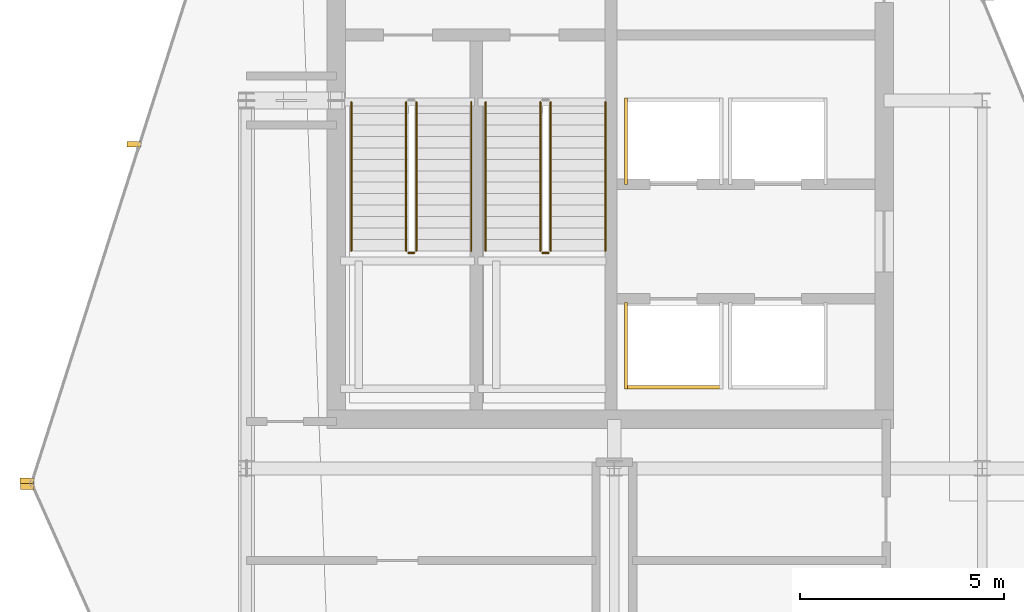
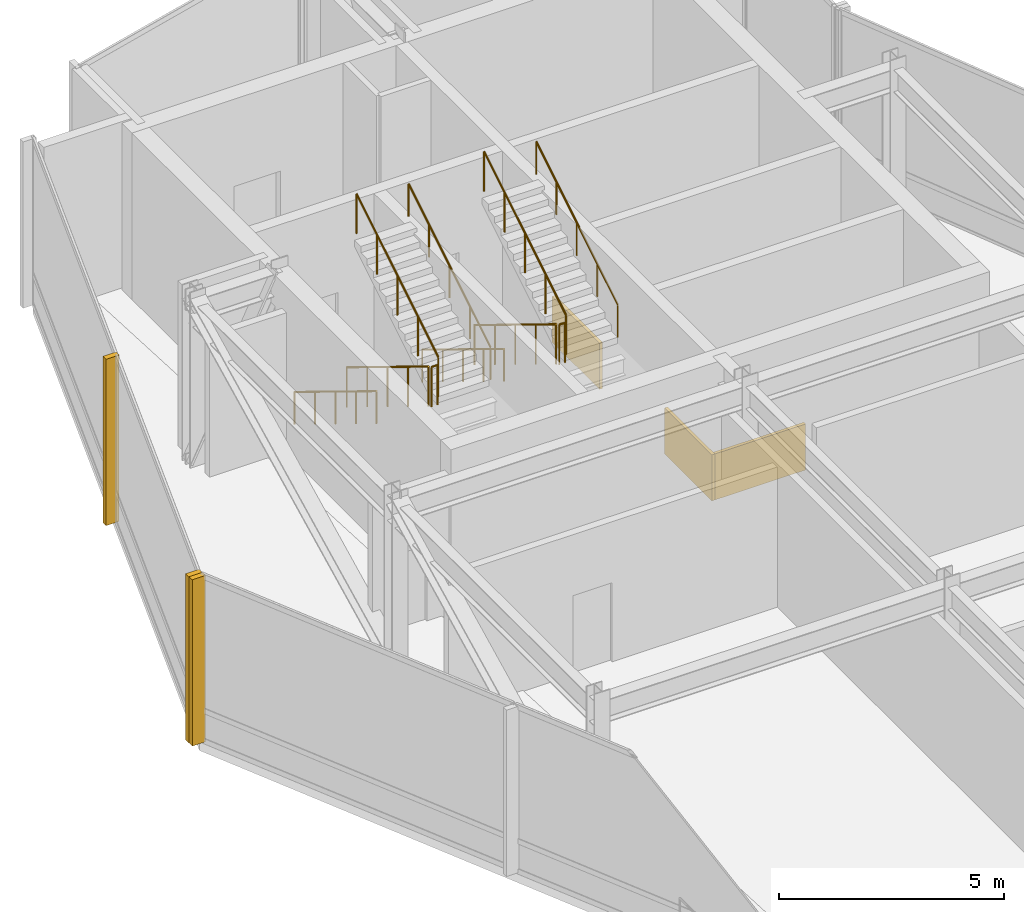
# One storey, part 21 of 23: 10 railings, 3 coverings, 3 shading devices.
"""IFC4 building model written with IfcOpenShell, lengths in metres."""

from ifc_helpers import new_model, si_unit, direction, frame, origin, origin_2d, place, context, subcontext, project, spatial, rectangle, circle, extrude, material, layer, layer_set, type_object, element, save


model = new_model("IFC4")

# Units and contexts
model_context = context("Model", 3, precision=1e-05, world=origin(), true_north=direction((0.0, 1.0)))
body_context = subcontext(model_context, "Body", "Model", "MODEL_VIEW")
ifc_project = project(units=[si_unit("LENGTHUNIT", "METRE"), si_unit("AREAUNIT", "SQUARE_METRE"), si_unit("VOLUMEUNIT", "CUBIC_METRE"), si_unit("PLANEANGLEUNIT", "RADIAN"), si_unit("MASSUNIT", "GRAM", prefix="KILO")], contexts=[model_context])

# Site, building, storey
site_placement = place(None, origin())
site = spatial("IfcSite", under=ifc_project, at=site_placement, CompositionType="ELEMENT")
building_placement = place(site_placement, origin())
building = spatial("IfcBuilding", under=site, at=building_placement, Name="Solvaryn Broadcast Tower", CompositionType="ELEMENT")
storey_placement = place(building_placement, frame((0.0, 0.0, 285.199951171875)))
storey = spatial("IfcBuildingStorey", under=building, at=storey_placement, Name="L72", CompositionType="ELEMENT", Elevation=285.199951171875)

# Coverings
ifc_material_1 = material(Name="Fire-Rated Gypsum Shaftwall Liner", Category="concrete")
ifc_layer = layer(ifc_material_1, 0.080078125)
ifc_layer_set = layer_set([ifc_layer], Name="CV-SHAFT-LINER")
covering_type = type_object("IfcCoveringType", Name="CV-SHAFT-LINER", PredefinedType="CLADDING", material=ifc_layer_set)
covering_placement = place(storey_placement, frame((19.449951171875, 28.985107421875, 0.0), z_axis=(0.0, 0.0, 1.0), x_axis=(1.0, 0.0, 0.0)))
element("IfcCovering", 1, at=covering_placement, inside=storey, type_object=covering_type, Name="L72 PH1 Hoistway Shaft Liner South", PredefinedType="CLADDING", context=body_context, shape_type="SweptSolid", body=[
    extrude(rectangle(XDim=2.409912109375, YDim=0.080078125, at=origin_2d()), origin(), (0.0, 0.0, 1.0), 1.25),
])
for number, where, z_axis, x_axis, name in (
    (2, (18.284912109375, 30.0, 0.0), (0.0, 0.0, 1.0), (1.0, 0.0, 0.0), "L72 PH1 Hoistway Shaft Liner West"),
    (3, (18.284912109375, 35.0, 0.0), (0.0, 0.0, 1.0), (1.0, 0.0, 0.0), "L72 PH3 Hoistway Shaft Liner West"),
):
    element("IfcCovering", number, at=place(storey_placement, frame(where, z_axis=z_axis, x_axis=x_axis)), inside=storey, type_object=covering_type, Name=name, PredefinedType="CLADDING", context=body_context, shape_type="SweptSolid", body=[
        extrude(rectangle(XDim=0.080078125, YDim=2.110107421875, at=origin_2d()), origin(), (0.0, 0.0, 1.0), 1.25),
    ])

# Railings
ifc_material_2 = material(Name="Painted Steel Stair Well Guard", Category="steel")
railing_type_1 = type_object("IfcRailingType", Name="RL-STAIR-GUARD", PredefinedType="BALUSTRADE", material=ifc_material_2)
railing_1_placement = place(storey_placement, frame((12.909912109375, 35.9599609375, 0.17138671875)))
element("IfcRailing", 4, at=railing_1_placement, inside=storey, type_object=railing_type_1, Name="L72 ST1 stair guard 1", PredefinedType="BALUSTRADE", context=body_context, shape_type="SweptSolid", body=[
    extrude(circle(Radius=0.02392578125, at=origin_2d()), frame((0.0, 0.0, 1.076171875), z_axis=(0.0, -0.852824790078, 0.522197163366), x_axis=(1.0, 0.0, 0.0)), (0.0, 0.0, 1.0), 4.26806640625),
    extrude(circle(Radius=0.02099609375, at=origin_2d()), origin(), (0.0, 0.0, 1.0), 1.052001953125),
    extrude(circle(Radius=0.02099609375, at=origin_2d()), frame((0.0, -0.909912109375, 0.55712890625)), (0.0, 0.0, 1.0), 1.052001953125),
    extrude(circle(Radius=0.02099609375, at=origin_2d()), frame((0.0, -1.81982421875, 1.1142578125)), (0.0, 0.0, 1.0), 1.052001953125),
    extrude(circle(Radius=0.02099609375, at=origin_2d()), frame((0.0, -2.72998046875, 1.671630859375)), (0.0, 0.0, 1.0), 1.052001953125),
    extrude(circle(Radius=0.02099609375, at=origin_2d()), frame((0.0, -3.639892578125, 2.228759765625)), (0.0, 0.0, 1.0), 1.052001953125),
])
railing_2_placement = place(storey_placement, frame((12.9599609375, 32.27001953125, 2.400146484375)))
element("IfcRailing", 5, at=railing_2_placement, inside=storey, type_object=railing_type_1, Name="L72 ST1 stair guard 2", PredefinedType="BALUSTRADE", context=body_context, shape_type="SweptSolid", body=[
    extrude(circle(Radius=0.02392578125, at=origin_2d()), frame((0.0, 0.0, 1.076171875), z_axis=(1.0, 0.0, 0.0), x_axis=(0.0, 1.0, 0.0)), (0.0, 0.0, 1.0), 0.150146484375),
    extrude(circle(Radius=0.02099609375, at=origin_2d()), origin(), (0.0, 0.0, 1.0), 1.052001953125),
    extrude(circle(Radius=0.02099609375, at=origin_2d()), frame((0.150146484375, 0.0, 0.0)), (0.0, 0.0, 1.0), 1.052001953125),
])
railing_3_placement = place(storey_placement, frame((13.159912109375, 32.320068359375, 2.571533203125)))
element("IfcRailing", 6, at=railing_3_placement, inside=storey, type_object=railing_type_1, Name="L72 ST1 stair guard 3", PredefinedType="BALUSTRADE", context=body_context, shape_type="SweptSolid", body=[
    extrude(circle(Radius=0.02392578125, at=origin_2d()), frame((0.0, 0.0, 1.076171875), z_axis=(0.0, 0.852850264322, 0.5221555579), x_axis=(-1.0, 0.0, 0.0)), (0.0, 0.0, 1.0), 4.267822265625),
    extrude(circle(Radius=0.02099609375, at=origin_2d()), origin(), (0.0, 0.0, 1.0), 1.052001953125),
    extrude(circle(Radius=0.02099609375, at=origin_2d()), frame((0.0, 0.909912109375, 0.55712890625)), (0.0, 0.0, 1.0), 1.052001953125),
    extrude(circle(Radius=0.02099609375, at=origin_2d()), frame((0.0, 1.81982421875, 1.1142578125)), (0.0, 0.0, 1.0), 1.052001953125),
    extrude(circle(Radius=0.02099609375, at=origin_2d()), frame((0.0, 2.72998046875, 1.67138671875)), (0.0, 0.0, 1.0), 1.052001953125),
    extrude(circle(Radius=0.02099609375, at=origin_2d()), frame((0.0, 3.639892578125, 2.228515625)), (0.0, 0.0, 1.0), 1.052001953125),
])
railing_4_placement = place(storey_placement, frame((16.18994140625, 35.9599609375, 0.17138671875)))
element("IfcRailing", 7, at=railing_4_placement, inside=storey, type_object=railing_type_1, Name="L72 ST2 stair guard 1", PredefinedType="BALUSTRADE", context=body_context, shape_type="SweptSolid", body=[
    extrude(circle(Radius=0.02392578125, at=origin_2d()), frame((0.0, 0.0, 1.076171875), z_axis=(0.0, -0.852824790078, 0.522197163366), x_axis=(1.0, 0.0, 0.0)), (0.0, 0.0, 1.0), 4.26806640625),
    extrude(circle(Radius=0.02099609375, at=origin_2d()), origin(), (0.0, 0.0, 1.0), 1.052001953125),
    extrude(circle(Radius=0.02099609375, at=origin_2d()), frame((0.0, -0.909912109375, 0.55712890625)), (0.0, 0.0, 1.0), 1.052001953125),
    extrude(circle(Radius=0.02099609375, at=origin_2d()), frame((0.0, -1.81982421875, 1.1142578125)), (0.0, 0.0, 1.0), 1.052001953125),
    extrude(circle(Radius=0.02099609375, at=origin_2d()), frame((0.0, -2.72998046875, 1.671630859375)), (0.0, 0.0, 1.0), 1.052001953125),
    extrude(circle(Radius=0.02099609375, at=origin_2d()), frame((0.0, -3.639892578125, 2.228759765625)), (0.0, 0.0, 1.0), 1.052001953125),
])
railing_5_placement = place(storey_placement, frame((16.239990234375, 32.27001953125, 2.400146484375)))
element("IfcRailing", 8, at=railing_5_placement, inside=storey, type_object=railing_type_1, Name="L72 ST2 stair guard 2", PredefinedType="BALUSTRADE", context=body_context, shape_type="SweptSolid", body=[
    extrude(circle(Radius=0.02392578125, at=origin_2d()), frame((0.0, 0.0, 1.076171875), z_axis=(1.0, 0.0, 0.0), x_axis=(0.0, 1.0, 0.0)), (0.0, 0.0, 1.0), 0.14990234375),
    extrude(circle(Radius=0.02099609375, at=origin_2d()), origin(), (0.0, 0.0, 1.0), 1.052001953125),
    extrude(circle(Radius=0.02099609375, at=origin_2d()), frame((0.14990234375, 0.0, 0.0)), (0.0, 0.0, 1.0), 1.052001953125),
])
railing_6_placement = place(storey_placement, frame((16.43994140625, 32.320068359375, 2.571533203125)))
element("IfcRailing", 9, at=railing_6_placement, inside=storey, type_object=railing_type_1, Name="L72 ST2 stair guard 3", PredefinedType="BALUSTRADE", context=body_context, shape_type="SweptSolid", body=[
    extrude(circle(Radius=0.02392578125, at=origin_2d()), frame((0.0, 0.0, 1.076171875), z_axis=(0.0, 0.852850264322, 0.5221555579), x_axis=(-1.0, 0.0, 0.0)), (0.0, 0.0, 1.0), 4.267822265625),
    extrude(circle(Radius=0.02099609375, at=origin_2d()), origin(), (0.0, 0.0, 1.0), 1.052001953125),
    extrude(circle(Radius=0.02099609375, at=origin_2d()), frame((0.0, 0.909912109375, 0.55712890625)), (0.0, 0.0, 1.0), 1.052001953125),
    extrude(circle(Radius=0.02099609375, at=origin_2d()), frame((0.0, 1.81982421875, 1.1142578125)), (0.0, 0.0, 1.0), 1.052001953125),
    extrude(circle(Radius=0.02099609375, at=origin_2d()), frame((0.0, 2.72998046875, 1.67138671875)), (0.0, 0.0, 1.0), 1.052001953125),
    extrude(circle(Radius=0.02099609375, at=origin_2d()), frame((0.0, 3.639892578125, 2.228515625)), (0.0, 0.0, 1.0), 1.052001953125),
])
ifc_material_3 = material(Name="Brushed Stainless Steel Tubular Handrail", Category="steel")
railing_type_2 = type_object("IfcRailingType", Name="RL-STAIR-HANDRAIL", PredefinedType="HANDRAIL", material=ifc_material_3)
railing_7_placement = place(storey_placement, frame((11.570068359375, 35.9599609375, 0.17138671875)))
element("IfcRailing", 10, at=railing_7_placement, inside=storey, type_object=railing_type_2, Name="L72 ST1 stair handrail 1", PredefinedType="HANDRAIL", context=body_context, shape_type="SweptSolid", body=[
    extrude(circle(Radius=0.02392578125, at=origin_2d()), frame((0.0, 0.0, 0.8759765625), z_axis=(0.0, -0.852824790078, 0.522197163366), x_axis=(1.0, 0.0, 0.0)), (0.0, 0.0, 1.0), 4.26806640625),
    extrude(circle(Radius=0.02099609375, at=origin_2d()), origin(), (0.0, 0.0, 1.0), 0.851806640625),
    extrude(circle(Radius=0.02099609375, at=origin_2d()), frame((0.0, -0.909912109375, 0.55712890625)), (0.0, 0.0, 1.0), 0.851806640625),
    extrude(circle(Radius=0.02099609375, at=origin_2d()), frame((0.0, -1.81982421875, 1.1142578125)), (0.0, 0.0, 1.0), 0.851806640625),
    extrude(circle(Radius=0.02099609375, at=origin_2d()), frame((0.0, -2.72998046875, 1.671630859375)), (0.0, 0.0, 1.0), 0.851806640625),
    extrude(circle(Radius=0.02099609375, at=origin_2d()), frame((0.0, -3.639892578125, 2.228759765625)), (0.0, 0.0, 1.0), 0.851806640625),
])
railing_8_placement = place(storey_placement, frame((14.5, 32.320068359375, 2.571533203125)))
element("IfcRailing", 11, at=railing_8_placement, inside=storey, type_object=railing_type_2, Name="L72 ST1 stair handrail 2", PredefinedType="HANDRAIL", context=body_context, shape_type="SweptSolid", body=[
    extrude(circle(Radius=0.02392578125, at=origin_2d()), frame((0.0, 0.0, 0.8759765625), z_axis=(0.0, 0.852850264322, 0.5221555579), x_axis=(-1.0, 0.0, 0.0)), (0.0, 0.0, 1.0), 4.267822265625),
    extrude(circle(Radius=0.02099609375, at=origin_2d()), origin(), (0.0, 0.0, 1.0), 0.851806640625),
    extrude(circle(Radius=0.02099609375, at=origin_2d()), frame((0.0, 0.909912109375, 0.55712890625)), (0.0, 0.0, 1.0), 0.851806640625),
    extrude(circle(Radius=0.02099609375, at=origin_2d()), frame((0.0, 1.81982421875, 1.1142578125)), (0.0, 0.0, 1.0), 0.851806640625),
    extrude(circle(Radius=0.02099609375, at=origin_2d()), frame((0.0, 2.72998046875, 1.67138671875)), (0.0, 0.0, 1.0), 0.851806640625),
    extrude(circle(Radius=0.02099609375, at=origin_2d()), frame((0.0, 3.639892578125, 2.228515625)), (0.0, 0.0, 1.0), 0.851806640625),
])
railing_9_placement = place(storey_placement, frame((14.85009765625, 35.9599609375, 0.17138671875)))
element("IfcRailing", 12, at=railing_9_placement, inside=storey, type_object=railing_type_2, Name="L72 ST2 stair handrail 1", PredefinedType="HANDRAIL", context=body_context, shape_type="SweptSolid", body=[
    extrude(circle(Radius=0.02392578125, at=origin_2d()), frame((0.0, 0.0, 0.8759765625), z_axis=(0.0, -0.852824790078, 0.522197163366), x_axis=(1.0, 0.0, 0.0)), (0.0, 0.0, 1.0), 4.26806640625),
    extrude(circle(Radius=0.02099609375, at=origin_2d()), origin(), (0.0, 0.0, 1.0), 0.851806640625),
    extrude(circle(Radius=0.02099609375, at=origin_2d()), frame((0.0, -0.909912109375, 0.55712890625)), (0.0, 0.0, 1.0), 0.851806640625),
    extrude(circle(Radius=0.02099609375, at=origin_2d()), frame((0.0, -1.81982421875, 1.1142578125)), (0.0, 0.0, 1.0), 0.851806640625),
    extrude(circle(Radius=0.02099609375, at=origin_2d()), frame((0.0, -2.72998046875, 1.671630859375)), (0.0, 0.0, 1.0), 0.851806640625),
    extrude(circle(Radius=0.02099609375, at=origin_2d()), frame((0.0, -3.639892578125, 2.228759765625)), (0.0, 0.0, 1.0), 0.851806640625),
])
railing_10_placement = place(storey_placement, frame((17.780029296875, 32.320068359375, 2.571533203125)))
element("IfcRailing", 13, at=railing_10_placement, inside=storey, type_object=railing_type_2, Name="L72 ST2 stair handrail 2", PredefinedType="HANDRAIL", context=body_context, shape_type="SweptSolid", body=[
    extrude(circle(Radius=0.02392578125, at=origin_2d()), frame((0.0, 0.0, 0.8759765625), z_axis=(0.0, 0.852850264322, 0.5221555579), x_axis=(-1.0, 0.0, 0.0)), (0.0, 0.0, 1.0), 4.267822265625),
    extrude(circle(Radius=0.02099609375, at=origin_2d()), origin(), (0.0, 0.0, 1.0), 0.851806640625),
    extrude(circle(Radius=0.02099609375, at=origin_2d()), frame((0.0, 0.909912109375, 0.55712890625)), (0.0, 0.0, 1.0), 0.851806640625),
    extrude(circle(Radius=0.02099609375, at=origin_2d()), frame((0.0, 1.81982421875, 1.1142578125)), (0.0, 0.0, 1.0), 0.851806640625),
    extrude(circle(Radius=0.02099609375, at=origin_2d()), frame((0.0, 2.72998046875, 1.67138671875)), (0.0, 0.0, 1.0), 0.851806640625),
    extrude(circle(Radius=0.02099609375, at=origin_2d()), frame((0.0, 3.639892578125, 2.228515625)), (0.0, 0.0, 1.0), 0.851806640625),
])

# Shading devices
ifc_material_4 = material(Name="Anodised Aluminium Acoustic Louvre", Category="aluminium")
shading_device_type = type_object("IfcShadingDeviceType", Name="LV-01 Plant Intake Louvre", PredefinedType="USERDEFINED", material=ifc_material_4)
for number, where, z_axis, x_axis, name in (
    (14, (6.25439453125, 34.928955078125, 0.0), (0.0, 0.0, 1.0), (1.0, 0.0, 0.0), "L72 Plant Acoustic Louvre LV-CW-L72-DR1/M01"),
    (15, (3.632568359375, 26.701171875, 0.0), (0.0, 0.0, 1.0), (1.0, 0.0, 0.0), "L72 Plant Acoustic Louvre LV-CW-L72-DR1/M02"),
    (16, (3.640869140625, 26.5595703125, 0.0), (0.0, 0.0, 1.0), (1.0, 0.0, 0.0), "L72 Plant Acoustic Louvre LV-CW-L72-DR2/M00"),
):
    element("IfcShadingDevice", number, at=place(storey_placement, frame(where, z_axis=z_axis, x_axis=x_axis)), inside=storey, type_object=shading_device_type, Name=name, ObjectType="LOUVRE", PredefinedType="USERDEFINED", context=body_context, shape_type="SweptSolid", body=[
        extrude(rectangle(XDim=0.340087890625, YDim=0.139892578125, at=origin_2d()), origin(), (0.0, 0.0, 1.0), 4.52001953125),
    ])

save(model, "model.ifc")
